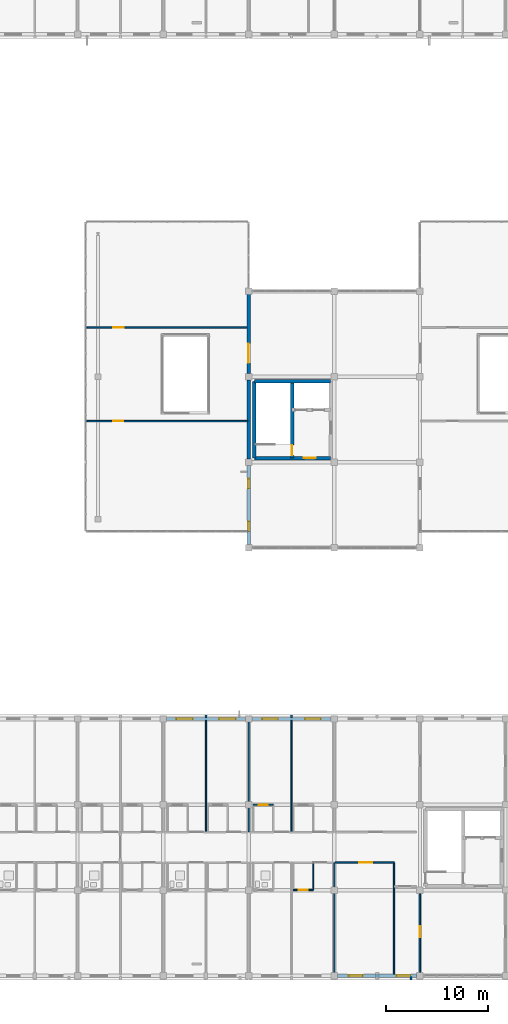
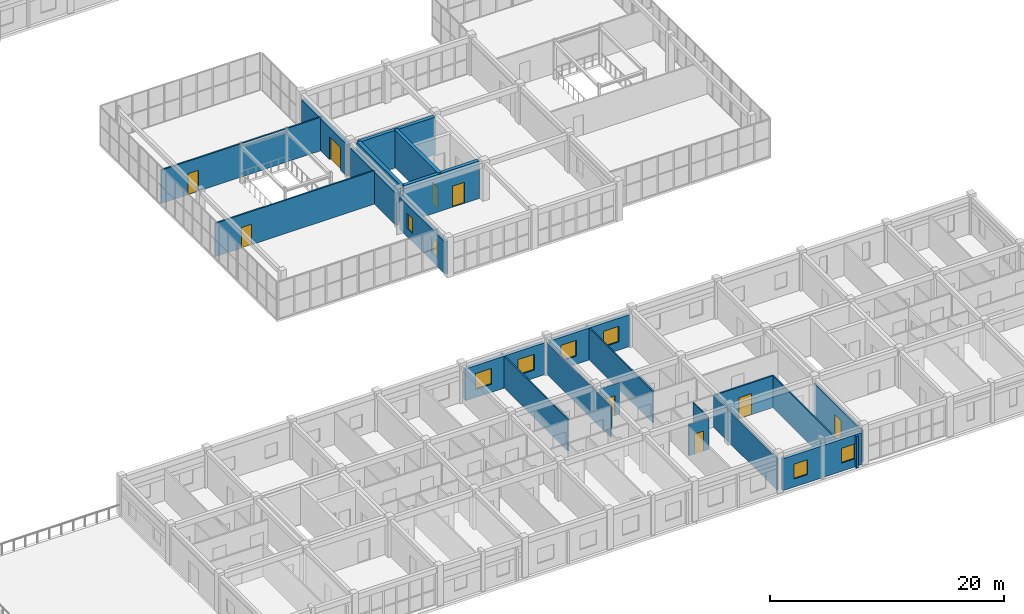
# One storey, part 61 of 81: 25 walls, 9 doors, 8 windows, 17 openings.
"""IFC4 building model written with IfcOpenShell, lengths in metres."""

from ifc_helpers import new_model, si_unit, direction, frame, frame_2d, origin, place, context, subcontext, project, spatial, rectangle, extrude, material, layer, layer_set, type_object, element, fill, save


model = new_model("IFC4")

# Units and contexts
model_context = context("Model", 3, precision=1e-05, world=origin(), true_north=direction((0.0, 1.0)))
body_context = subcontext(model_context, "Body", "Model", "MODEL_VIEW")
ifc_project = project(units=[si_unit("LENGTHUNIT", "METRE"), si_unit("AREAUNIT", "SQUARE_METRE"), si_unit("VOLUMEUNIT", "CUBIC_METRE"), si_unit("PLANEANGLEUNIT", "RADIAN"), si_unit("MASSUNIT", "GRAM", prefix="KILO")], contexts=[model_context])

# Site, building, storey
site_placement = place(None, origin())
site = spatial("IfcSite", under=ifc_project, at=site_placement, CompositionType="ELEMENT")
building_placement = place(site_placement, origin())
building = spatial("IfcBuilding", under=site, at=building_placement, Name="Trelvath General Hospital", CompositionType="ELEMENT")
storey_placement = place(building_placement, frame((0.0, 0.0, 24.60009765625)))
storey = spatial("IfcBuildingStorey", under=building, at=storey_placement, Name="L06", CompositionType="ELEMENT", Elevation=24.60009765625)

# Walls
ifc_material_1 = material(Name="Precast concrete C40/50", Category="concrete")
ifc_layer_1 = layer(ifc_material_1, 0.199951171875)
ifc_layer_set_1 = layer_set([ifc_layer_1], Name="Precast concrete C40/50")
wall_type_1 = type_object("IfcWallType", Name="BriseSoleilRib 200", PredefinedType="ELEMENTEDWALL", material=ifc_layer_set_1)
for number, where, z_axis, x_axis, name in (
    (1, (71.39990234375, 25.27490234375, 0.0), (0.0, 0.0, 1.0), (0.0, 1.0, 0.0), "Precast Concrete Brise-Soleil Rib Fin L06-428"),
    (2, (79.800048828125, 25.27490234375, 0.0), (0.0, 0.0, 1.0), (0.0, 1.0, 0.0), "Precast Concrete Brise-Soleil Rib Fin L06-432"),
    (3, (91.5498046875, -0.074951171875, 0.0), (0.0, 0.0, 1.0), (0.0, -1.0, 0.0), "Precast Concrete Brise-Soleil Rib Fin L06-435"),
):
    element("IfcWall", number, at=place(storey_placement, frame(where, z_axis=z_axis, x_axis=x_axis)), inside=storey, type_object=wall_type_1, Name=name, PredefinedType="ELEMENTEDWALL", context=body_context, shape_type="SweptSolid", body=[
        extrude(rectangle(XDim=0.340087890625, YDim=0.199951171875, at=frame_2d((0.169921875, 0.0))), origin(), (0.0, 0.0, 1.0), 3.31982421875),
    ])

# Wall, opening, door
ifc_material_2 = material(Name="Gypsum acoustic steel-stud partition", Category="steel")
ifc_layer_2 = layer(ifc_material_2, 0.14990234375)
ifc_layer_set_2 = layer_set([ifc_layer_2], Name="Gypsum acoustic steel-stud partition")
wall_type_2 = type_object("IfcWallType", Name="ClinicalPartition 150", PredefinedType="PARTITIONING", material=ifc_layer_set_2)
wall_1_placement = place(storey_placement, frame((84.080078125, 11.10009765625, 0.0), z_axis=(0.0, 0.0, 1.0), x_axis=(1.0, 0.0, 0.0)))
wall_1 = element("IfcWall", 4, at=wall_1_placement, inside=storey, type_object=wall_type_2, Name="Nurse Station Partition L06-2120", PredefinedType="PARTITIONING", context=body_context, shape_type="SweptSolid", body=[
    extrude(rectangle(XDim=5.780029296875, YDim=0.14990234375, at=frame_2d((2.89013671875, 0.0))), origin(), (0.0, 0.0, 1.0), 3.31982421875),
])
opening_1_placement = place(wall_1_placement, frame((2.3798828125, 0.0, 0.0)))
opening_1 = element("IfcOpeningElement", 5, at=opening_1_placement, cuts=wall_1, Name="Opening D-6-1350", PredefinedType="OPENING", context=body_context, shape_type="SweptSolid", body=[
    extrude(rectangle(XDim=1.25, YDim=2.199951171875, at=frame_2d((0.625, 1.10009765625))), frame((0.0, 0.0849609375, 0.0), z_axis=(0.0, -1.0, 0.0), x_axis=(1.0, 0.0, 0.0)), (0.0, 0.0, 1.0), 0.169921875),
])
ifc_material_3 = material(Name="Acoustic hospital timber leaf", Category="wood")
door_type_1 = type_object("IfcDoorType", Name="Door Treatment 1250x2200", OperationType="NOTDEFINED", PredefinedType="DOOR", material=ifc_material_3)
door_1_placement = place(opening_1_placement, origin())
door_1 = element("IfcDoor", 6, at=door_1_placement, inside=storey, type_object=door_type_1, Name="Nurse Station Door L06-1350", OperationType="SINGLE_SWING_RIGHT", OverallHeight=2.199951171875, OverallWidth=1.25, PredefinedType="DOOR", context=body_context, shape_type="SweptSolid", body=[
    extrude(rectangle(XDim=1.25, YDim=2.199951171875, at=frame_2d((0.625, 1.10009765625))), frame((0.0, 0.02490234375, 0.0), z_axis=(0.0, -1.0, 0.0), x_axis=(1.0, 0.0, 0.0)), (0.0, 0.0, 1.0), 0.050048828125),
])
fill(opening_1, door_1)

wall_2_placement = place(storey_placement, frame((59.699951171875, 54.449951171875, 0.0), z_axis=(0.0, 0.0, 1.0), x_axis=(1.0, 0.0, 0.0)))
wall_2 = element("IfcWall", 7, at=wall_2_placement, inside=storey, type_object=wall_type_2, Name="Cube Clinic CUBE-W Partition L06-2319", PredefinedType="PARTITIONING", context=body_context, shape_type="SweptSolid", body=[
    extrude(rectangle(XDim=15.800048828125, YDim=0.14990234375, at=frame_2d((7.89990234375, 0.0))), origin(), (0.0, 0.0, 1.0), 3.489990234375),
])
opening_2_placement = place(wall_2_placement, frame((2.60009765625, 0.0, 0.0)))
opening_2 = element("IfcOpeningElement", 8, at=opening_2_placement, cuts=wall_2, Name="Opening DC-6-1451", PredefinedType="OPENING", context=body_context, shape_type="SweptSolid", body=[
    extrude(rectangle(XDim=1.0, YDim=2.14990234375, at=frame_2d((0.5, 1.074951171875))), frame((0.0, 0.0849609375, 0.0), z_axis=(0.0, -1.0, 0.0), x_axis=(1.0, 0.0, 0.0)), (0.0, 0.0, 1.0), 0.169921875),
])
ifc_material_4 = material(Name="Acoustic hospital timber leaf", Category="wood")
door_type_2 = type_object("IfcDoorType", Name="Door Consult 1000x2150", OperationType="NOTDEFINED", PredefinedType="DOOR", material=ifc_material_4)
door_2_placement = place(opening_2_placement, origin())
door_2 = element("IfcDoor", 9, at=door_2_placement, inside=storey, type_object=door_type_2, Name="Cube Clinic CUBE-W Door L06-1451", OperationType="SINGLE_SWING_LEFT", OverallHeight=2.14990234375, OverallWidth=1.0, PredefinedType="DOOR", context=body_context, shape_type="SweptSolid", body=[
    extrude(rectangle(XDim=1.0, YDim=2.14990234375, at=frame_2d((0.5, 1.074951171875))), frame((0.0, 0.02490234375, 0.0), z_axis=(0.0, -1.0, 0.0), x_axis=(1.0, 0.0, 0.0)), (0.0, 0.0, 1.0), 0.050048828125),
])
fill(opening_2, door_2)

wall_3_placement = place(storey_placement, frame((59.699951171875, 63.64990234375, 0.0), z_axis=(0.0, 0.0, 1.0), x_axis=(1.0, 0.0, 0.0)))
wall_3 = element("IfcWall", 10, at=wall_3_placement, inside=storey, type_object=wall_type_2, Name="Cube Clinic CUBE-W Partition L06-2320", PredefinedType="PARTITIONING", context=body_context, shape_type="SweptSolid", body=[
    extrude(rectangle(XDim=15.800048828125, YDim=0.14990234375, at=frame_2d((7.89990234375, 0.0))), origin(), (0.0, 0.0, 1.0), 3.489990234375),
])
opening_3_placement = place(wall_3_placement, frame((2.60009765625, 0.0, 0.0)))
opening_3 = element("IfcOpeningElement", 11, at=opening_3_placement, cuts=wall_3, Name="Opening DC-6-1452", PredefinedType="OPENING", context=body_context, shape_type="SweptSolid", body=[
    extrude(rectangle(XDim=1.050048828125, YDim=2.199951171875, at=frame_2d((0.52490234375, 1.10009765625))), frame((0.0, 0.0849609375, 0.0), z_axis=(0.0, -1.0, 0.0), x_axis=(1.0, 0.0, 0.0)), (0.0, 0.0, 1.0), 0.169921875),
])
ifc_material_5 = material(Name="Acoustic hospital timber leaf", Category="wood")
door_type_3 = type_object("IfcDoorType", Name="Door Consult 1050x2200", OperationType="NOTDEFINED", PredefinedType="DOOR", material=ifc_material_5)
door_3_placement = place(opening_3_placement, origin())
door_3 = element("IfcDoor", 12, at=door_3_placement, inside=storey, type_object=door_type_3, Name="Cube Clinic CUBE-W Door L06-1452", OperationType="SINGLE_SWING_RIGHT", OverallHeight=2.199951171875, OverallWidth=1.050048828125, PredefinedType="DOOR", context=body_context, shape_type="SweptSolid", body=[
    extrude(rectangle(XDim=1.050048828125, YDim=2.199951171875, at=frame_2d((0.52490234375, 1.10009765625))), frame((0.0, 0.02490234375, 0.0), z_axis=(0.0, -1.0, 0.0), x_axis=(1.0, 0.0, 0.0)), (0.0, 0.0, 1.0), 0.050048828125),
])
fill(opening_3, door_3)

ifc_material_6 = material(Name="Concrete C40/50", Category="concrete")
ifc_layer_3 = layer(ifc_material_6, 0.35009765625)
ifc_layer_set_3 = layer_set([ifc_layer_3], Name="Concrete C40/50")
wall_type_3 = type_object("IfcWallType", Name="CoreShearWall 350", PredefinedType="SHEAR", material=ifc_layer_set_3)
wall_4_placement = place(storey_placement, frame((76.14990234375, 50.800048828125, 0.0), z_axis=(0.0, 0.0, 1.0), x_axis=(1.0, 0.0, 0.0)))
wall_4 = element("IfcWall", 13, at=wall_4_placement, inside=storey, type_object=wall_type_3, Name="Core Shear Wall C6 S L06", PredefinedType="SHEAR", context=body_context, shape_type="SweptSolid", body=[
    extrude(rectangle(XDim=7.5, YDim=0.35009765625, at=frame_2d((3.75, 0.0))), origin(), (0.0, 0.0, 1.0), 3.919921875),
])
opening_4_placement = place(wall_4_placement, frame((4.85009765625, 0.0, 0.0)))
opening_4 = element("IfcOpeningElement", 14, at=opening_4_placement, cuts=wall_4, Name="Opening FD-LS66", PredefinedType="OPENING", context=body_context, shape_type="SweptSolid", body=[
    extrude(rectangle(XDim=1.199951171875, YDim=2.199951171875, at=frame_2d((0.60009765625, 1.10009765625))), frame((0.0, 0.18505859375, 0.0), z_axis=(0.0, -1.0, 0.0), x_axis=(1.0, 0.0, 0.0)), (0.0, 0.0, 1.0), 0.3701171875),
])
ifc_material_7 = material(Name="Fire-rated steel door", Category="steel")
door_type_4 = type_object("IfcDoorType", Name="Door FireLobby 1200x2200", OperationType="NOTDEFINED", PredefinedType="DOOR", material=ifc_material_7)
door_4_placement = place(opening_4_placement, origin())
door_4 = element("IfcDoor", 15, at=door_4_placement, inside=storey, type_object=door_type_4, Name="Fire Lobby South Concourse Door C6 L06", OperationType="SINGLE_SWING_LEFT", OverallHeight=2.199951171875, OverallWidth=1.199951171875, PredefinedType="DOOR", context=body_context, shape_type="SweptSolid", body=[
    extrude(rectangle(XDim=1.199951171875, YDim=2.199951171875, at=frame_2d((0.60009765625, 1.10009765625))), frame((0.0, 0.02490234375, 0.0), z_axis=(0.0, -1.0, 0.0), x_axis=(1.0, 0.0, 0.0)), (0.0, 0.0, 1.0), 0.050048828125),
])
fill(opening_4, door_4)

# Walls
wall_5_placement = place(storey_placement, frame((76.14990234375, 58.35009765625, 0.0), z_axis=(0.0, 0.0, 1.0), x_axis=(1.0, 0.0, 0.0)))
element("IfcWall", 16, at=wall_5_placement, inside=storey, type_object=wall_type_3, Name="Core Shear Wall C6 N L06", PredefinedType="SHEAR", context=body_context, shape_type="SweptSolid", body=[
    extrude(rectangle(XDim=7.5, YDim=0.35009765625, at=frame_2d((3.75, 0.0))), origin(), (0.0, 0.0, 1.0), 3.919921875),
])
wall_6_placement = place(storey_placement, frame((76.14990234375, 50.800048828125, 0.0), z_axis=(0.0, 0.0, 1.0), x_axis=(0.0, 1.0, 0.0)))
element("IfcWall", 17, at=wall_6_placement, inside=storey, type_object=wall_type_3, Name="Core Shear Wall C6 W L06", PredefinedType="SHEAR", context=body_context, shape_type="SweptSolid", body=[
    extrude(rectangle(XDim=7.550048828125, YDim=0.35009765625, at=frame_2d((3.77490234375, 0.0))), origin(), (0.0, 0.0, 1.0), 3.919921875),
])

# Wall, opening, door
wall_7_placement = place(storey_placement, frame((79.85009765625, 50.800048828125, 0.0), z_axis=(0.0, 0.0, 1.0), x_axis=(0.0, 1.0, 0.0)))
wall_7 = element("IfcWall", 18, at=wall_7_placement, inside=storey, type_object=wall_type_3, Name="Core Shear Wall C6 SPINE L06", PredefinedType="SHEAR", context=body_context, shape_type="SweptSolid", body=[
    extrude(rectangle(XDim=7.550048828125, YDim=0.35009765625, at=frame_2d((3.77490234375, 0.0))), origin(), (0.0, 0.0, 1.0), 3.919921875),
])
opening_5_placement = place(wall_7_placement, frame((0.280029296875, 0.0, 0.0)))
opening_5 = element("IfcOpeningElement", 19, at=opening_5_placement, cuts=wall_7, Name="Opening FD-S66", PredefinedType="OPENING", context=body_context, shape_type="SweptSolid", body=[
    extrude(rectangle(XDim=1.0, YDim=2.14990234375, at=frame_2d((0.5, 1.074951171875))), frame((0.0, 0.18505859375, 0.0), z_axis=(0.0, -1.0, 0.0), x_axis=(1.0, 0.0, 0.0)), (0.0, 0.0, 1.0), 0.3701171875),
])
ifc_material_8 = material(Name="Fire-rated steel door", Category="steel")
door_type_5 = type_object("IfcDoorType", Name="Door FireStair 1100x2150", OperationType="NOTDEFINED", PredefinedType="DOOR", material=ifc_material_8)
door_5_placement = place(opening_5_placement, origin())
door_5 = element("IfcDoor", 20, at=door_5_placement, inside=storey, type_object=door_type_5, Name="Exit Stair Door ST6 L06", OperationType="SINGLE_SWING_RIGHT", OverallHeight=2.14990234375, OverallWidth=1.0, PredefinedType="DOOR", context=body_context, shape_type="SweptSolid", body=[
    extrude(rectangle(XDim=1.0, YDim=2.14990234375, at=frame_2d((0.5, 1.074951171875))), frame((0.0, 0.02490234375, 0.0), z_axis=(0.0, -1.0, 0.0), x_axis=(1.0, 0.0, 0.0)), (0.0, 0.0, 1.0), 0.050048828125),
])
fill(opening_5, door_5)

# Wall
ifc_material_9 = material(Name="Moisture-resistant tile partition")
ifc_layer_4 = layer(ifc_material_9, 0.110107421875)
ifc_layer_set_4 = layer_set([ifc_layer_4], Name="Moisture-resistant tile partition")
wall_type_4 = type_object("IfcWallType", Name="EnSuiteWetWall 110", PredefinedType="PARTITIONING", material=ifc_layer_set_4)
wall_8_placement = place(storey_placement, frame((81.93994140625, 8.419921875, 0.0), z_axis=(0.0, 0.0, 1.0), x_axis=(0.0, 1.0, 0.0)))
element("IfcWall", 21, at=wall_8_placement, inside=storey, type_object=wall_type_4, Name="En-Suite E Wall L06-2108", PredefinedType="PARTITIONING", context=body_context, shape_type="SweptSolid", body=[
    extrude(rectangle(XDim=2.610107421875, YDim=0.110107421875, at=frame_2d((1.30517578125, 0.0))), origin(), (0.0, 0.0, 1.0), 3.31982421875),
])

# Wall, opening, door
wall_9_placement = place(storey_placement, frame((79.9599609375, 8.419921875, 0.0), z_axis=(0.0, 0.0, 1.0), x_axis=(1.0, 0.0, 0.0)))
wall_9 = element("IfcWall", 22, at=wall_9_placement, inside=storey, type_object=wall_type_4, Name="En-Suite Bathroom Partition L06-2109", PredefinedType="PARTITIONING", context=body_context, shape_type="SweptSolid", body=[
    extrude(rectangle(XDim=1.97998046875, YDim=0.110107421875, at=frame_2d((0.989990234375, 0.0))), origin(), (0.0, 0.0, 1.0), 3.31982421875),
])
opening_6_placement = place(wall_9_placement, frame((0.5400390625, 0.0, 0.0)))
opening_6 = element("IfcOpeningElement", 23, at=opening_6_placement, cuts=wall_9, Name="Opening D-6-1345", PredefinedType="OPENING", context=body_context, shape_type="SweptSolid", body=[
    extrude(rectangle(XDim=0.89990234375, YDim=2.10009765625, at=frame_2d((0.449951171875, 1.050048828125))), frame((0.0, 0.06494140625, 0.0), z_axis=(0.0, -1.0, 0.0), x_axis=(1.0, 0.0, 0.0)), (0.0, 0.0, 1.0), 0.130126953125),
])
ifc_material_10 = material(Name="Moisture-sealed timber leaf", Category="wood")
door_type_6 = type_object("IfcDoorType", Name="Door EnSuite 900x2100", OperationType="NOTDEFINED", PredefinedType="DOOR", material=ifc_material_10)
door_6_placement = place(opening_6_placement, origin())
door_6 = element("IfcDoor", 24, at=door_6_placement, inside=storey, type_object=door_type_6, Name="En-Suite Bathroom Door L06-1345", OperationType="SINGLE_SWING_RIGHT", OverallHeight=2.10009765625, OverallWidth=0.89990234375, PredefinedType="DOOR", context=body_context, shape_type="SweptSolid", body=[
    extrude(rectangle(XDim=0.89990234375, YDim=2.10009765625, at=frame_2d((0.449951171875, 1.050048828125))), frame((0.0, 0.02490234375, 0.0), z_axis=(0.0, -1.0, 0.0), x_axis=(1.0, 0.0, 0.0)), (0.0, 0.0, 1.0), 0.050048828125),
])
fill(opening_6, door_6)

wall_10_placement = place(storey_placement, frame((76.02001953125, 16.780029296875, 0.0), z_axis=(0.0, 0.0, 1.0), x_axis=(1.0, 0.0, 0.0)))
wall_10 = element("IfcWall", 25, at=wall_10_placement, inside=storey, type_object=wall_type_4, Name="En-Suite Bathroom N Partition L06-2114", PredefinedType="PARTITIONING", context=body_context, shape_type="SweptSolid", body=[
    extrude(rectangle(XDim=1.97998046875, YDim=0.110107421875, at=frame_2d((0.989990234375, 0.0))), origin(), (0.0, 0.0, 1.0), 3.31982421875),
])
opening_7_placement = place(wall_10_placement, frame((0.5400390625, 0.0, 0.0)))
opening_7 = element("IfcOpeningElement", 26, at=opening_7_placement, cuts=wall_10, Name="Opening D-6-1348", PredefinedType="OPENING", context=body_context, shape_type="SweptSolid", body=[
    extrude(rectangle(XDim=0.89990234375, YDim=2.10009765625, at=frame_2d((0.449951171875, 1.050048828125))), frame((0.0, 0.06494140625, 0.0), z_axis=(0.0, -1.0, 0.0), x_axis=(1.0, 0.0, 0.0)), (0.0, 0.0, 1.0), 0.130126953125),
])
door_7_placement = place(opening_7_placement, origin())
door_7 = element("IfcDoor", 27, at=door_7_placement, inside=storey, type_object=door_type_6, Name="En-Suite Bathroom N Door L06-1348", OperationType="SINGLE_SWING_RIGHT", OverallHeight=2.10009765625, OverallWidth=0.89990234375, PredefinedType="DOOR", context=body_context, shape_type="SweptSolid", body=[
    extrude(rectangle(XDim=0.89990234375, YDim=2.10009765625, at=frame_2d((0.449951171875, 1.050048828125))), frame((0.0, 0.02490234375, 0.0), z_axis=(0.0, -1.0, 0.0), x_axis=(1.0, 0.0, 0.0)), (0.0, 0.0, 1.0), 0.050048828125),
])
fill(opening_7, door_7)

# Wall, openings, windows
ifc_material_11 = material(Name="Concrete C35/45", Category="concrete")
ifc_layer_5 = layer(ifc_material_11, 0.320068359375)
ifc_layer_set_5 = layer_set([ifc_layer_5], Name="Concrete C35/45")
wall_type_5 = type_object("IfcWallType", Name="ExtThermalWall 320", PredefinedType="SOLIDWALL", material=ifc_layer_set_5)
wall_11_placement = place(storey_placement, frame((67.5048828125, 25.199951171875, 0.0), z_axis=(0.0, 0.0, 1.0), x_axis=(1.0, 0.0, 0.0)))
wall_11 = element("IfcWall", 28, at=wall_11_placement, inside=storey, type_object=wall_type_5, Name="Exterior Concrete Wall L06-571", PredefinedType="SOLIDWALL", context=body_context, shape_type="SweptSolid", body=[
    extrude(rectangle(XDim=7.7900390625, YDim=0.320068359375, at=frame_2d((3.89501953125, 0.0))), origin(), (0.0, 0.0, 1.0), 3.33984375),
])
opening_8_placement = place(wall_11_placement, frame((0.99169921875, 0.0, 0.85009765625)))
opening_8 = element("IfcOpeningElement", 29, at=opening_8_placement, cuts=wall_11, Name="Opening WN-6-957", PredefinedType="OPENING", context=body_context, shape_type="SweptSolid", body=[
    extrude(rectangle(XDim=1.60009765625, YDim=1.64990234375, at=frame_2d((0.800048828125, 0.824951171875))), frame((0.0, 0.169921875, 0.0), z_axis=(0.0, -1.0, 0.0), x_axis=(1.0, 0.0, 0.0)), (0.0, 0.0, 1.0), 0.340087890625),
])
opening_9_placement = place(wall_11_placement, frame((5.1982421875, 0.0, 0.85009765625)))
opening_9 = element("IfcOpeningElement", 30, at=opening_9_placement, cuts=wall_11, Name="Opening WN-6-958", PredefinedType="OPENING", context=body_context, shape_type="SweptSolid", body=[
    extrude(rectangle(XDim=1.60009765625, YDim=1.64990234375, at=frame_2d((0.800048828125, 0.824951171875))), frame((0.0, 0.169921875, 0.0), z_axis=(0.0, -1.0, 0.0), x_axis=(1.0, 0.0, 0.0)), (0.0, 0.0, 1.0), 0.340087890625),
])
ifc_material_12 = material(Name="Low-E laminated glass", Category="glass")
window_type_1 = type_object("IfcWindowType", Name="Window WardNorth 1600x1650", PartitioningType="DOUBLE_PANEL_VERTICAL", PredefinedType="WINDOW", material=ifc_material_12)
window_1_placement = place(opening_8_placement, origin())
window_1 = element("IfcWindow", 31, at=window_1_placement, inside=storey, type_object=window_type_1, Name="Solar Reveal Window L06-957", OverallHeight=1.64990234375, OverallWidth=1.60009765625, PartitioningType="SINGLE_PANEL", PredefinedType="WINDOW", context=body_context, shape_type="SweptSolid", body=[
    extrude(rectangle(XDim=1.60009765625, YDim=1.64990234375, at=frame_2d((0.800048828125, 0.824951171875))), frame((0.0, 0.030029296875, 0.0), z_axis=(0.0, -1.0, 0.0), x_axis=(1.0, 0.0, 0.0)), (0.0, 0.0, 1.0), 0.06005859375),
])
fill(opening_8, window_1)
window_2_placement = place(opening_9_placement, origin())
window_2 = element("IfcWindow", 32, at=window_2_placement, inside=storey, type_object=window_type_1, Name="Solar Reveal Window L06-958", OverallHeight=1.64990234375, OverallWidth=1.60009765625, PartitioningType="SINGLE_PANEL", PredefinedType="WINDOW", context=body_context, shape_type="SweptSolid", body=[
    extrude(rectangle(XDim=1.60009765625, YDim=1.64990234375, at=frame_2d((0.800048828125, 0.824951171875))), frame((0.0, 0.030029296875, 0.0), z_axis=(0.0, -1.0, 0.0), x_axis=(1.0, 0.0, 0.0)), (0.0, 0.0, 1.0), 0.06005859375),
])
fill(opening_9, window_2)

wall_12_placement = place(storey_placement, frame((75.905029296875, 25.199951171875, 0.0), z_axis=(0.0, 0.0, 1.0), x_axis=(1.0, 0.0, 0.0)))
wall_12 = element("IfcWall", 33, at=wall_12_placement, inside=storey, type_object=wall_type_5, Name="Exterior Concrete Wall L06-575", PredefinedType="SOLIDWALL", context=body_context, shape_type="SweptSolid", body=[
    extrude(rectangle(XDim=7.7900390625, YDim=0.320068359375, at=frame_2d((3.89501953125, 0.0))), origin(), (0.0, 0.0, 1.0), 3.33984375),
])
opening_10_placement = place(wall_12_placement, frame((1.03173828125, 0.0, 0.85009765625)))
opening_10 = element("IfcOpeningElement", 34, at=opening_10_placement, cuts=wall_12, Name="Opening WN-6-965", PredefinedType="OPENING", context=body_context, shape_type="SweptSolid", body=[
    extrude(rectangle(XDim=1.52001953125, YDim=1.64990234375, at=frame_2d((0.760009765625, 0.824951171875))), frame((0.0, 0.169921875, 0.0), z_axis=(0.0, -1.0, 0.0), x_axis=(1.0, 0.0, 0.0)), (0.0, 0.0, 1.0), 0.340087890625),
])
opening_11_placement = place(wall_12_placement, frame((5.23828125, 0.0, 0.85009765625)))
opening_11 = element("IfcOpeningElement", 35, at=opening_11_placement, cuts=wall_12, Name="Opening WN-6-966", PredefinedType="OPENING", context=body_context, shape_type="SweptSolid", body=[
    extrude(rectangle(XDim=1.52001953125, YDim=1.64990234375, at=frame_2d((0.760009765625, 0.824951171875))), frame((0.0, 0.169921875, 0.0), z_axis=(0.0, -1.0, 0.0), x_axis=(1.0, 0.0, 0.0)), (0.0, 0.0, 1.0), 0.340087890625),
])
ifc_material_13 = material(Name="Low-E laminated glass", Category="glass")
window_type_2 = type_object("IfcWindowType", Name="Window WardNorth 1520x1650", PartitioningType="DOUBLE_PANEL_VERTICAL", PredefinedType="WINDOW", material=ifc_material_13)
window_3_placement = place(opening_10_placement, origin())
window_3 = element("IfcWindow", 36, at=window_3_placement, inside=storey, type_object=window_type_2, Name="Solar Reveal Window L06-965", OverallHeight=1.64990234375, OverallWidth=1.52001953125, PartitioningType="SINGLE_PANEL", PredefinedType="WINDOW", context=body_context, shape_type="SweptSolid", body=[
    extrude(rectangle(XDim=1.52001953125, YDim=1.64990234375, at=frame_2d((0.760009765625, 0.824951171875))), frame((0.0, 0.030029296875, 0.0), z_axis=(0.0, -1.0, 0.0), x_axis=(1.0, 0.0, 0.0)), (0.0, 0.0, 1.0), 0.06005859375),
])
fill(opening_10, window_3)
window_4_placement = place(opening_11_placement, origin())
window_4 = element("IfcWindow", 37, at=window_4_placement, inside=storey, type_object=window_type_2, Name="Solar Reveal Window L06-966", OverallHeight=1.64990234375, OverallWidth=1.52001953125, PartitioningType="SINGLE_PANEL", PredefinedType="WINDOW", context=body_context, shape_type="SweptSolid", body=[
    extrude(rectangle(XDim=1.52001953125, YDim=1.64990234375, at=frame_2d((0.760009765625, 0.824951171875))), frame((0.0, 0.030029296875, 0.0), z_axis=(0.0, -1.0, 0.0), x_axis=(1.0, 0.0, 0.0)), (0.0, 0.0, 1.0), 0.06005859375),
])
fill(opening_11, window_4)

wall_13_placement = place(storey_placement, frame((75.60009765625, 42.304931640625, 0.0), z_axis=(0.0, 0.0, 1.0), x_axis=(0.0, 1.0, 0.0)))
wall_13 = element("IfcWall", 38, at=wall_13_placement, inside=storey, type_object=wall_type_5, Name="Exterior Concrete Wall L06-576", PredefinedType="SOLIDWALL", context=body_context, shape_type="SweptSolid", body=[
    extrude(rectangle(XDim=7.7900390625, YDim=0.320068359375, at=frame_2d((3.89501953125, 0.0))), origin(), (0.0, 0.0, 1.0), 3.33984375),
])
opening_12_placement = place(wall_13_placement, frame((1.316650390625, 0.0, 0.85009765625)))
opening_12 = element("IfcOpeningElement", 39, at=opening_12_placement, cuts=wall_13, Name="Opening WN-6-967", PredefinedType="OPENING", context=body_context, shape_type="SweptSolid", body=[
    extrude(rectangle(XDim=0.949951171875, YDim=1.60009765625, at=frame_2d((0.47509765625, 0.800048828125))), frame((0.0, 0.169921875, 0.0), z_axis=(0.0, -1.0, 0.0), x_axis=(1.0, 0.0, 0.0)), (0.0, 0.0, 1.0), 0.340087890625),
])
opening_13_placement = place(wall_13_placement, frame((5.523193359375, 0.0, 0.85009765625)))
opening_13 = element("IfcOpeningElement", 40, at=opening_13_placement, cuts=wall_13, Name="Opening WN-6-968", PredefinedType="OPENING", context=body_context, shape_type="SweptSolid", body=[
    extrude(rectangle(XDim=0.949951171875, YDim=1.60009765625, at=frame_2d((0.47509765625, 0.800048828125))), frame((0.0, 0.169921875, 0.0), z_axis=(0.0, -1.0, 0.0), x_axis=(1.0, 0.0, 0.0)), (0.0, 0.0, 1.0), 0.340087890625),
])
ifc_material_14 = material(Name="Low-E laminated glass", Category="glass")
window_type_3 = type_object("IfcWindowType", Name="Window DeepReveal 950x1600", PartitioningType="SINGLE_PANEL", PredefinedType="WINDOW", material=ifc_material_14)
window_5_placement = place(opening_12_placement, origin())
window_5 = element("IfcWindow", 41, at=window_5_placement, inside=storey, type_object=window_type_3, Name="Solar Reveal Window L06-967", OverallHeight=1.60009765625, OverallWidth=0.949951171875, PartitioningType="SINGLE_PANEL", PredefinedType="WINDOW", context=body_context, shape_type="SweptSolid", body=[
    extrude(rectangle(XDim=0.949951171875, YDim=1.60009765625, at=frame_2d((0.47509765625, 0.800048828125))), frame((0.0, 0.030029296875, 0.0), z_axis=(0.0, -1.0, 0.0), x_axis=(1.0, 0.0, 0.0)), (0.0, 0.0, 1.0), 0.06005859375),
])
fill(opening_12, window_5)
window_6_placement = place(opening_13_placement, origin())
window_6 = element("IfcWindow", 42, at=window_6_placement, inside=storey, type_object=window_type_3, Name="Solar Reveal Window L06-968", OverallHeight=1.60009765625, OverallWidth=0.949951171875, PartitioningType="SINGLE_PANEL", PredefinedType="WINDOW", context=body_context, shape_type="SweptSolid", body=[
    extrude(rectangle(XDim=0.949951171875, YDim=1.60009765625, at=frame_2d((0.47509765625, 0.800048828125))), frame((0.0, 0.030029296875, 0.0), z_axis=(0.0, -1.0, 0.0), x_axis=(1.0, 0.0, 0.0)), (0.0, 0.0, 1.0), 0.06005859375),
])
fill(opening_13, window_6)

# Wall
wall_14_placement = place(storey_placement, frame((75.60009765625, 50.705078125, 0.0), z_axis=(0.0, 0.0, 1.0), x_axis=(0.0, 1.0, 0.0)))
element("IfcWall", 43, at=wall_14_placement, inside=storey, type_object=wall_type_5, Name="Exterior Concrete Wall L06-577", PredefinedType="SOLIDWALL", context=body_context, shape_type="SweptSolid", body=[
    extrude(rectangle(XDim=7.7900390625, YDim=0.320068359375, at=frame_2d((3.89501953125, 0.0))), origin(), (0.0, 0.0, 1.0), 3.33984375),
])

# Wall, opening, door
wall_15_placement = place(storey_placement, frame((75.60009765625, 59.10498046875, 0.0), z_axis=(0.0, 0.0, 1.0), x_axis=(0.0, 1.0, 0.0)))
wall_15 = element("IfcWall", 44, at=wall_15_placement, inside=storey, type_object=wall_type_5, Name="Exterior Concrete Wall L06-578", PredefinedType="SOLIDWALL", context=body_context, shape_type="SweptSolid", body=[
    extrude(rectangle(XDim=7.7900390625, YDim=0.320068359375, at=frame_2d((3.89501953125, 0.0))), origin(), (0.0, 0.0, 1.0), 3.33984375),
])
opening_14_placement = place(wall_15_placement, frame((1.044921875, 0.0, 0.0)))
opening_14 = element("IfcOpeningElement", 45, at=opening_14_placement, cuts=wall_15, Name="Opening CP-6-067", PredefinedType="OPENING", context=body_context, shape_type="SweptSolid", body=[
    extrude(rectangle(XDim=1.89990234375, YDim=2.39990234375, at=frame_2d((0.949951171875, 1.199951171875))), frame((0.0, 0.169921875, 0.0), z_axis=(0.0, -1.0, 0.0), x_axis=(1.0, 0.0, 0.0)), (0.0, 0.0, 1.0), 0.340087890625),
])
ifc_material_15 = material(Name="Thermally broken glazed aluminium pair", Category="aluminium")
door_type_7 = type_object("IfcDoorType", Name="Door BridgeEntry 1900x2400", OperationType="DOUBLE_SWING_LEFT", PredefinedType="DOOR", material=ifc_material_15)
door_8_placement = place(opening_14_placement, origin())
door_8 = element("IfcDoor", 46, at=door_8_placement, inside=storey, type_object=door_type_7, Name="Crystal Cube Concourse Portal Door L06-67", OperationType="DOUBLE_SWING_LEFT", OverallHeight=2.39990234375, OverallWidth=1.89990234375, PredefinedType="DOOR", context=body_context, shape_type="SweptSolid", body=[
    extrude(rectangle(XDim=1.89990234375, YDim=2.39990234375, at=frame_2d((0.949951171875, 1.199951171875))), frame((0.0, 0.02490234375, 0.0), z_axis=(0.0, -1.0, 0.0), x_axis=(1.0, 0.0, 0.0)), (0.0, 0.0, 1.0), 0.050048828125),
])
fill(opening_14, door_8)

# Wall, openings, windows
wall_16_placement = place(storey_placement, frame((92.094970703125, 0.0, 0.0), z_axis=(0.0, 0.0, 1.0), x_axis=(-1.0, 0.0, 0.0)))
wall_16 = element("IfcWall", 47, at=wall_16_placement, inside=storey, type_object=wall_type_5, Name="Exterior Concrete Wall L06-581", PredefinedType="SOLIDWALL", context=body_context, shape_type="SweptSolid", body=[
    extrude(rectangle(XDim=7.7900390625, YDim=0.320068359375, at=frame_2d((3.89501953125, 0.0))), origin(), (0.0, 0.0, 1.0), 3.33984375),
])
opening_15_placement = place(wall_16_placement, frame((0.639892578125, 0.0, 0.85009765625)))
opening_15 = element("IfcOpeningElement", 48, at=opening_15_placement, cuts=wall_16, Name="Opening WN-6-973", PredefinedType="OPENING", context=body_context, shape_type="SweptSolid", body=[
    extrude(rectangle(XDim=1.35009765625, YDim=1.550048828125, at=frame_2d((0.675048828125, 0.77490234375))), frame((0.0, 0.169921875, 0.0), z_axis=(0.0, -1.0, 0.0), x_axis=(1.0, 0.0, 0.0)), (0.0, 0.0, 1.0), 0.340087890625),
])
opening_16_placement = place(wall_16_placement, frame((5.3232421875, 0.0, 0.85009765625)))
opening_16 = element("IfcOpeningElement", 49, at=opening_16_placement, cuts=wall_16, Name="Opening WN-6-974", PredefinedType="OPENING", context=body_context, shape_type="SweptSolid", body=[
    extrude(rectangle(XDim=1.35009765625, YDim=1.550048828125, at=frame_2d((0.675048828125, 0.77490234375))), frame((0.0, 0.169921875, 0.0), z_axis=(0.0, -1.0, 0.0), x_axis=(1.0, 0.0, 0.0)), (0.0, 0.0, 1.0), 0.340087890625),
])
ifc_material_16 = material(Name="Low-E laminated glass", Category="glass")
window_type_4 = type_object("IfcWindowType", Name="Window WardSouth 1350x1550", PartitioningType="SINGLE_PANEL", PredefinedType="WINDOW", material=ifc_material_16)
window_7_placement = place(opening_15_placement, origin())
window_7 = element("IfcWindow", 50, at=window_7_placement, inside=storey, type_object=window_type_4, Name="Solar Reveal Window L06-973", OverallHeight=1.550048828125, OverallWidth=1.35009765625, PartitioningType="SINGLE_PANEL", PredefinedType="WINDOW", context=body_context, shape_type="SweptSolid", body=[
    extrude(rectangle(XDim=1.35009765625, YDim=1.550048828125, at=frame_2d((0.675048828125, 0.77490234375))), frame((0.0, 0.030029296875, 0.0), z_axis=(0.0, -1.0, 0.0), x_axis=(1.0, 0.0, 0.0)), (0.0, 0.0, 1.0), 0.06005859375),
])
fill(opening_15, window_7)
window_8_placement = place(opening_16_placement, origin())
window_8 = element("IfcWindow", 51, at=window_8_placement, inside=storey, type_object=window_type_4, Name="Solar Reveal Window L06-974", OverallHeight=1.550048828125, OverallWidth=1.35009765625, PartitioningType="SINGLE_PANEL", PredefinedType="WINDOW", context=body_context, shape_type="SweptSolid", body=[
    extrude(rectangle(XDim=1.35009765625, YDim=1.550048828125, at=frame_2d((0.675048828125, 0.77490234375))), frame((0.0, 0.030029296875, 0.0), z_axis=(0.0, -1.0, 0.0), x_axis=(1.0, 0.0, 0.0)), (0.0, 0.0, 1.0), 0.06005859375),
])
fill(opening_16, window_8)

# Walls
ifc_material_17 = material(Name="Gypsum acoustic steel-stud partition", Category="steel")
ifc_layer_6 = layer(ifc_material_17, 0.1298828125)
ifc_layer_set_6 = layer_set([ifc_layer_6], Name="Gypsum acoustic steel-stud partition")
wall_type_6 = type_object("IfcWallType", Name="WardPartition 130", PredefinedType="PARTITIONING", material=ifc_layer_set_6)
wall_17_placement = place(storey_placement, frame((71.39990234375, 14.169921875, 0.0), z_axis=(0.0, 0.0, 1.0), x_axis=(0.0, 1.0, 0.0)))
element("IfcWall", 52, at=wall_17_placement, inside=storey, type_object=wall_type_6, Name="Room Dividing Partition N L06-2093", PredefinedType="PARTITIONING", context=body_context, shape_type="SweptSolid", body=[
    extrude(rectangle(XDim=10.93017578125, YDim=0.1298828125, at=frame_2d((5.465087890625, 0.0))), origin(), (0.0, 0.0, 1.0), 3.31982421875),
])
wall_18_placement = place(storey_placement, frame((75.60009765625, 14.1201171875, 0.0), z_axis=(0.0, 0.0, 1.0), x_axis=(0.0, 1.0, 0.0)))
element("IfcWall", 53, at=wall_18_placement, inside=storey, type_object=wall_type_6, Name="Inter-Bay Ward Partition N L06-2101", PredefinedType="PARTITIONING", context=body_context, shape_type="SweptSolid", body=[
    extrude(rectangle(XDim=10.93994140625, YDim=0.1298828125, at=frame_2d((5.469970703125, 0.0))), origin(), (0.0, 0.0, 1.0), 3.31982421875),
])
wall_19_placement = place(storey_placement, frame((79.800048828125, 14.169921875, 0.0), z_axis=(0.0, 0.0, 1.0), x_axis=(0.0, 1.0, 0.0)))
element("IfcWall", 54, at=wall_19_placement, inside=storey, type_object=wall_type_6, Name="Room Dividing Partition N L06-2111", PredefinedType="PARTITIONING", context=body_context, shape_type="SweptSolid", body=[
    extrude(rectangle(XDim=10.93017578125, YDim=0.1298828125, at=frame_2d((5.465087890625, 0.0))), origin(), (0.0, 0.0, 1.0), 3.31982421875),
])
for number, where, z_axis, x_axis, name in (
    (55, (84.0, 0.139892578125, 0.0), (0.0, 0.0, 1.0), (0.0, 1.0, 0.0), "Inter-Bay Ward Partition S L06-2118"),
    (56, (89.860107421875, 0.159912109375, 0.0), (0.0, 0.0, 1.0), (0.0, 1.0, 0.0), "Nurse Alcove Partition L06-2121"),
):
    element("IfcWall", number, at=place(storey_placement, frame(where, z_axis=z_axis, x_axis=x_axis)), inside=storey, type_object=wall_type_6, Name=name, PredefinedType="PARTITIONING", context=body_context, shape_type="SweptSolid", body=[
        extrude(rectangle(XDim=10.940185546875, YDim=0.1298828125, at=frame_2d((5.47021484375, 0.0))), origin(), (0.0, 0.0, 1.0), 3.31982421875),
    ])

# Wall, opening, door
wall_20_placement = place(storey_placement, frame((92.39990234375, 0.139892578125, 0.0), z_axis=(0.0, 0.0, 1.0), x_axis=(0.0, 1.0, 0.0)))
wall_20 = element("IfcWall", 57, at=wall_20_placement, inside=storey, type_object=wall_type_6, Name="Inter-Bay Ward Partition S L06-2124", PredefinedType="PARTITIONING", context=body_context, shape_type="SweptSolid", body=[
    extrude(rectangle(XDim=8.210205078125, YDim=0.1298828125, at=frame_2d((4.10498046875, 0.0))), origin(), (0.0, 0.0, 1.0), 3.31982421875),
])
opening_17_placement = place(wall_20_placement, frame((3.639892578125, 0.0, 0.0)))
opening_17 = element("IfcOpeningElement", 58, at=opening_17_placement, cuts=wall_20, Name="Opening D-6-1353", PredefinedType="OPENING", context=body_context, shape_type="SweptSolid", body=[
    extrude(rectangle(XDim=1.080078125, YDim=2.14990234375, at=frame_2d((0.5400390625, 1.074951171875))), frame((0.0, 0.074951171875, 0.0), z_axis=(0.0, -1.0, 0.0), x_axis=(1.0, 0.0, 0.0)), (0.0, 0.0, 1.0), 0.14990234375),
])
ifc_material_18 = material(Name="Acoustic hospital timber leaf", Category="wood")
door_type_8 = type_object("IfcDoorType", Name="Door CleanSupply 1080x2150", OperationType="NOTDEFINED", PredefinedType="DOOR", material=ifc_material_18)
door_9_placement = place(opening_17_placement, origin())
door_9 = element("IfcDoor", 59, at=door_9_placement, inside=storey, type_object=door_type_8, Name="Clean Supply Connecting Door L06-1353", OperationType="SINGLE_SWING_LEFT", OverallHeight=2.14990234375, OverallWidth=1.080078125, PredefinedType="DOOR", context=body_context, shape_type="SweptSolid", body=[
    extrude(rectangle(XDim=1.080078125, YDim=2.14990234375, at=frame_2d((0.5400390625, 1.074951171875))), frame((0.0, 0.02490234375, 0.0), z_axis=(0.0, -1.0, 0.0), x_axis=(1.0, 0.0, 0.0)), (0.0, 0.0, 1.0), 0.050048828125),
])
fill(opening_17, door_9)

save(model, "model.ifc")
